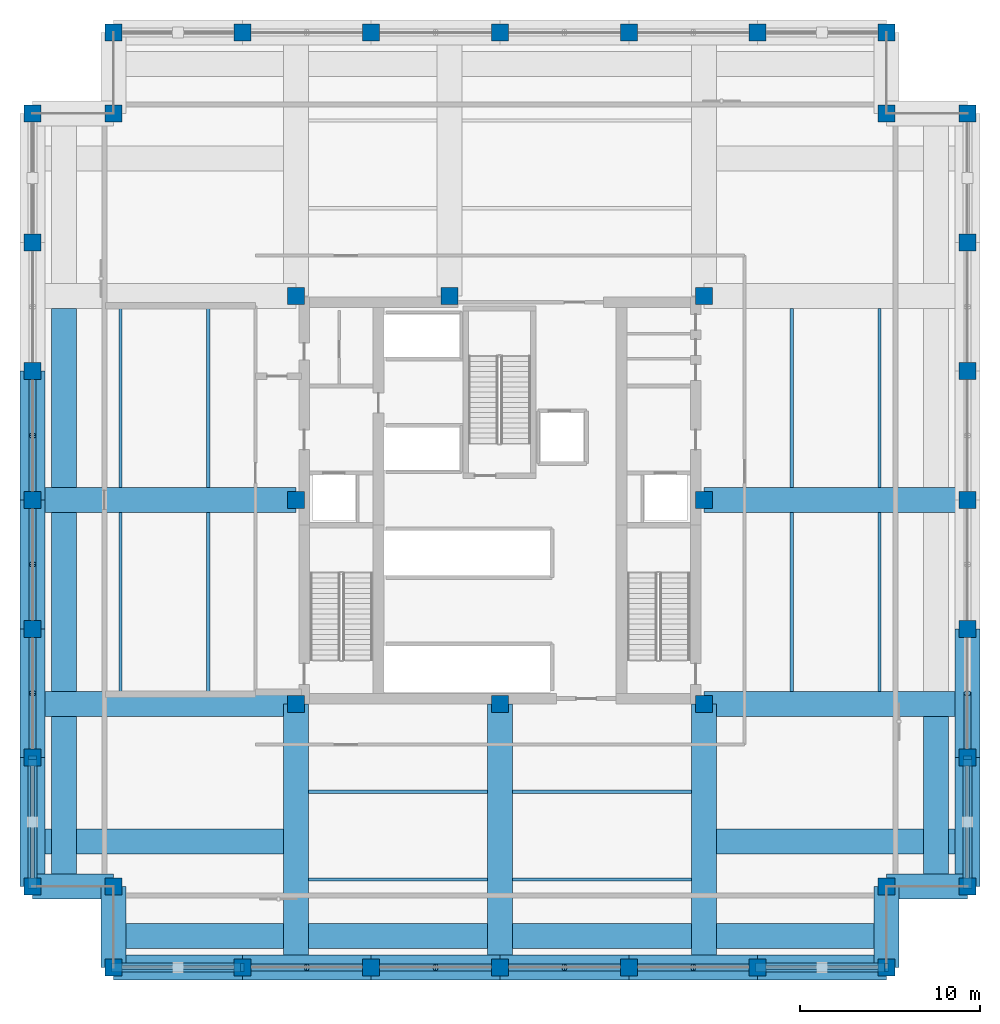
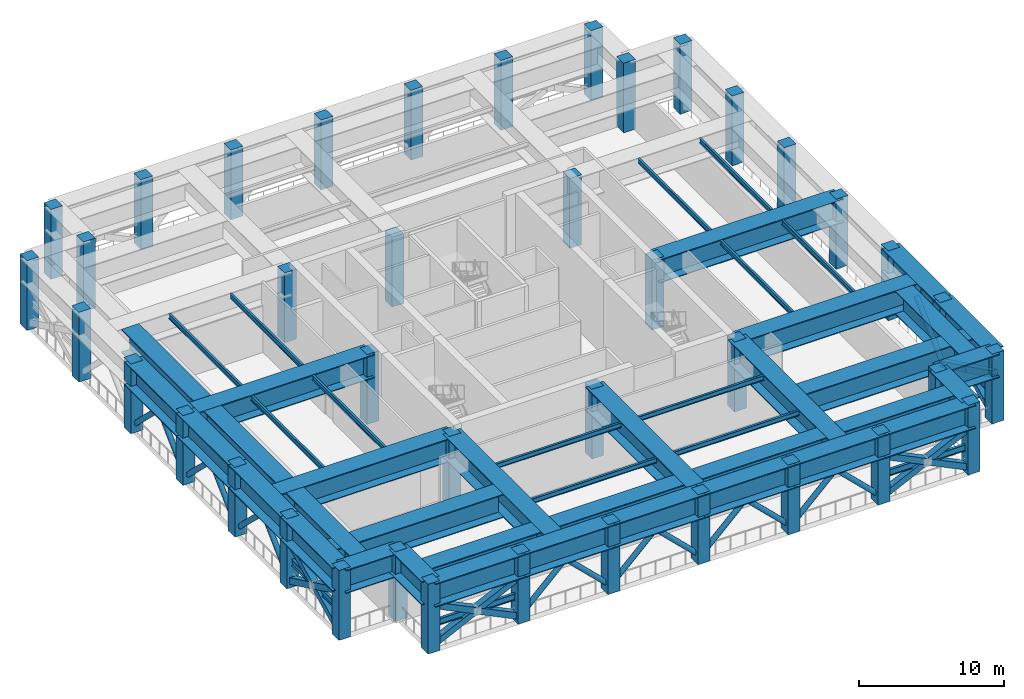
# One storey, part 1 of 12: 47 beams, 40 columns, 27 members.
"""IFC4 building model written with IfcOpenShell, lengths in metres."""

from ifc_helpers import new_model, si_unit, direction, frame, origin, origin_2d, place, context, subcontext, project, spatial, rectangle, hollow_rectangle, hollow_circle, i_section, extrude, material, material_profile, profile_set, type_object, element, save


model = new_model("IFC4")

# Units and contexts
model_context = context("Model", 3, precision=1e-05, world=origin(), true_north=direction((0.0, 1.0)))
body_context = subcontext(model_context, "Body", "Model", "MODEL_VIEW")
ifc_project = project(units=[si_unit("LENGTHUNIT", "METRE"), si_unit("AREAUNIT", "SQUARE_METRE"), si_unit("VOLUMEUNIT", "CUBIC_METRE"), si_unit("PLANEANGLEUNIT", "RADIAN"), si_unit("MASSUNIT", "GRAM", prefix="KILO")], contexts=[model_context])

# Site, building, storey
site_placement = place(None, origin())
site = spatial("IfcSite", under=ifc_project, at=site_placement, CompositionType="ELEMENT")
building_placement = place(site_placement, origin())
building = spatial("IfcBuilding", under=site, at=building_placement, Name="Nhamokura Convention Tower", CompositionType="ELEMENT")
storey_placement = place(building_placement, frame((0.0, 0.0, 176.050048828125)))
storey = spatial("IfcBuildingStorey", under=building, at=storey_placement, Name="L43", CompositionType="ELEMENT", Elevation=176.050048828125)

# Columns
ifc_material_1 = material(Name="Concrete C60/75", Category="concrete")
ifc_material_profile_1 = material_profile(ifc_material_1, rectangle(XDim=0.949951171875, YDim=0.949951171875, at=origin_2d()))
ifc_profile_set_1 = profile_set([ifc_material_profile_1], Name="Concrete C60/75")
column_type = type_object("IfcColumnType", Name="TubeColumn_Z2_950", PredefinedType="COLUMN", material=ifc_profile_set_1)
for number, where, z_axis, x_axis, name in (
    (1, (20.64990234375, 20.64990234375, 0.0), (0.0, 0.0, 1.0), (1.0, 0.0, 0.0), "L43 Core Column CC-SW"),
    (2, (32.0, 20.64990234375, 0.0), (0.0, 0.0, 1.0), (1.0, 0.0, 0.0), "L43 Core Column CC-S"),
    (3, (43.35009765625, 20.64990234375, 0.0), (0.0, 0.0, 1.0), (1.0, 0.0, 0.0), "L43 Core Column CC-SE"),
    (4, (43.35009765625, 32.0, 0.0), (0.0, 0.0, 1.0), (1.0, 0.0, 0.0), "L43 Core Column CC-E"),
    (5, (43.35009765625, 43.35009765625, 0.0), (0.0, 0.0, 1.0), (1.0, 0.0, 0.0), "L43 Core Column CC-NE"),
    (6, (29.199951171875, 43.35009765625, 0.0), (0.0, 0.0, 1.0), (1.0, 0.0, 0.0), "L43 Core Column CC-N"),
    (7, (20.64990234375, 43.35009765625, 0.0), (0.0, 0.0, 1.0), (1.0, 0.0, 0.0), "L43 Core Column CC-NW"),
    (8, (20.64990234375, 32.0, 0.0), (0.0, 0.0, 1.0), (1.0, 0.0, 0.0), "L43 Core Column CC-W"),
    (9, (10.5, 6.0, 0.0), (0.0, 0.0, 1.0), (1.0, 0.0, 0.0), "L43 Perimeter Tube Column SW1"),
    (10, (10.5, 10.5, 0.0), (0.0, 0.0, 1.0), (1.0, 0.0, 0.0), "L43 Perimeter Tube Column SW0"),
    (11, (6.0, 10.5, 0.0), (0.0, 0.0, 1.0), (1.0, 0.0, 0.0), "L43 Perimeter Tube Column SW2"),
    (12, (53.5, 6.0, 0.0), (0.0, 0.0, 1.0), (1.0, 0.0, 0.0), "L43 Perimeter Tube Column SE1"),
    (13, (53.5, 10.5, 0.0), (0.0, 0.0, 1.0), (1.0, 0.0, 0.0), "L43 Perimeter Tube Column SE0"),
    (14, (58.0, 10.5, 0.0), (0.0, 0.0, 1.0), (1.0, 0.0, 0.0), "L43 Perimeter Tube Column SE2"),
    (15, (58.0, 53.5, 0.0), (0.0, 0.0, 1.0), (1.0, 0.0, 0.0), "L43 Perimeter Tube Column NE1"),
    (16, (53.5, 53.5, 0.0), (0.0, 0.0, 1.0), (1.0, 0.0, 0.0), "L43 Perimeter Tube Column NE0"),
    (17, (53.5, 58.0, 0.0), (0.0, 0.0, 1.0), (1.0, 0.0, 0.0), "L43 Perimeter Tube Column NE2"),
    (18, (10.5, 58.0, 0.0), (0.0, 0.0, 1.0), (1.0, 0.0, 0.0), "L43 Perimeter Tube Column NW1"),
    (19, (10.5, 53.5, 0.0), (0.0, 0.0, 1.0), (1.0, 0.0, 0.0), "L43 Perimeter Tube Column NW0"),
    (20, (6.0, 53.5, 0.0), (0.0, 0.0, 1.0), (1.0, 0.0, 0.0), "L43 Perimeter Tube Column NW2"),
    (21, (17.666748046875, 6.0, 0.0), (0.0, 0.0, 1.0), (1.0, 0.0, 0.0), "L43 Perimeter Tube Column S1"),
    (22, (17.666748046875, 58.0, 0.0), (0.0, 0.0, 1.0), (1.0, 0.0, 0.0), "L43 Perimeter Tube Column N1"),
    (23, (6.0, 17.666748046875, 0.0), (0.0, 0.0, 1.0), (1.0, 0.0, 0.0), "L43 Perimeter Tube Column W1"),
    (24, (58.0, 17.666748046875, 0.0), (0.0, 0.0, 1.0), (1.0, 0.0, 0.0), "L43 Perimeter Tube Column E1"),
    (25, (24.833251953125, 6.0, 0.0), (0.0, 0.0, 1.0), (1.0, 0.0, 0.0), "L43 Perimeter Tube Column S2"),
    (26, (24.833251953125, 58.0, 0.0), (0.0, 0.0, 1.0), (1.0, 0.0, 0.0), "L43 Perimeter Tube Column N2"),
    (27, (6.0, 24.833251953125, 0.0), (0.0, 0.0, 1.0), (1.0, 0.0, 0.0), "L43 Perimeter Tube Column W2"),
    (28, (58.0, 24.833251953125, 0.0), (0.0, 0.0, 1.0), (1.0, 0.0, 0.0), "L43 Perimeter Tube Column E2"),
    (29, (32.0, 6.0, 0.0), (0.0, 0.0, 1.0), (1.0, 0.0, 0.0), "L43 Perimeter Tube Column S3"),
    (30, (32.0, 58.0, 0.0), (0.0, 0.0, 1.0), (1.0, 0.0, 0.0), "L43 Perimeter Tube Column N3"),
    (31, (6.0, 32.0, 0.0), (0.0, 0.0, 1.0), (1.0, 0.0, 0.0), "L43 Perimeter Tube Column W3"),
    (32, (58.0, 32.0, 0.0), (0.0, 0.0, 1.0), (1.0, 0.0, 0.0), "L43 Perimeter Tube Column E3"),
    (33, (39.166748046875, 6.0, 0.0), (0.0, 0.0, 1.0), (1.0, 0.0, 0.0), "L43 Perimeter Tube Column S4"),
    (34, (39.166748046875, 58.0, 0.0), (0.0, 0.0, 1.0), (1.0, 0.0, 0.0), "L43 Perimeter Tube Column N4"),
    (35, (6.0, 39.166748046875, 0.0), (0.0, 0.0, 1.0), (1.0, 0.0, 0.0), "L43 Perimeter Tube Column W4"),
    (36, (58.0, 39.166748046875, 0.0), (0.0, 0.0, 1.0), (1.0, 0.0, 0.0), "L43 Perimeter Tube Column E4"),
    (37, (46.333251953125, 6.0, 0.0), (0.0, 0.0, 1.0), (1.0, 0.0, 0.0), "L43 Perimeter Tube Column S5"),
    (38, (46.333251953125, 58.0, 0.0), (0.0, 0.0, 1.0), (1.0, 0.0, 0.0), "L43 Perimeter Tube Column N5"),
    (39, (6.0, 46.333251953125, 0.0), (0.0, 0.0, 1.0), (1.0, 0.0, 0.0), "L43 Perimeter Tube Column W5"),
    (40, (58.0, 46.333251953125, 0.0), (0.0, 0.0, 1.0), (1.0, 0.0, 0.0), "L43 Perimeter Tube Column E5"),
):
    element("IfcColumn", number, at=place(storey_placement, frame(where, z_axis=z_axis, x_axis=x_axis)), inside=storey, type_object=column_type, Name=name, PredefinedType="COLUMN", context=body_context, shape_type="SweptSolid", body=[
        extrude(rectangle(XDim=0.949951171875, YDim=0.949951171875, at=origin_2d()), origin(), (0.0, 0.0, 1.0), 5.8798828125),
    ])

# Beams
ifc_material_2 = material(Name="Steel ASTM A992 Gr 50", Category="steel")
ifc_material_profile_2 = material_profile(ifc_material_2, i_section(OverallWidth=0.177001953125, OverallDepth=0.403076171875, WebThickness=0.007568359375, FlangeThickness=0.010986328125, at=origin_2d()))
ifc_profile_set_2 = profile_set([ifc_material_profile_2], Name="Steel ASTM A992 Gr 50")
beam_type_1 = type_object("IfcBeamType", Name="FloorJoist_W410X53", PredefinedType="JOIST", material=ifc_profile_set_2)
for number, where, z_axis, x_axis, name in (
    (41, (21.347900390625, 10.88330078125, 5.678466796875), (1.0, 0.0, 0.0), (0.0, 1.0, 0.0), "L43 Composite Floor Joist S1A"),
    (42, (32.697998046875, 10.88330078125, 5.678466796875), (1.0, 0.0, 0.0), (0.0, 1.0, 0.0), "L43 Composite Floor Joist S1B"),
    (43, (21.347900390625, 15.7666015625, 5.678466796875), (1.0, 0.0, 0.0), (0.0, 1.0, 0.0), "L43 Composite Floor Joist S2A"),
    (44, (32.697998046875, 15.7666015625, 5.678466796875), (1.0, 0.0, 0.0), (0.0, 1.0, 0.0), "L43 Composite Floor Joist S2B"),
    (45, (10.88330078125, 21.347900390625, 5.678466796875), (0.0, 1.0, 0.0), (-1.0, 0.0, 0.0), "L43 Composite Floor Joist W1A"),
    (46, (10.88330078125, 32.697998046875, 5.678466796875), (0.0, 1.0, 0.0), (-1.0, 0.0, 0.0), "L43 Composite Floor Joist W1B"),
    (47, (15.7666015625, 21.347900390625, 5.678466796875), (0.0, 1.0, 0.0), (-1.0, 0.0, 0.0), "L43 Composite Floor Joist W2A"),
    (48, (15.7666015625, 32.697998046875, 5.678466796875), (0.0, 1.0, 0.0), (-1.0, 0.0, 0.0), "L43 Composite Floor Joist W2B"),
    (49, (48.2333984375, 21.347900390625, 5.678466796875), (0.0, 1.0, 0.0), (-1.0, 0.0, 0.0), "L43 Composite Floor Joist E1A"),
    (50, (48.2333984375, 32.697998046875, 5.678466796875), (0.0, 1.0, 0.0), (-1.0, 0.0, 0.0), "L43 Composite Floor Joist E1B"),
    (51, (53.11669921875, 21.347900390625, 5.678466796875), (0.0, 1.0, 0.0), (-1.0, 0.0, 0.0), "L43 Composite Floor Joist E2A"),
    (52, (53.11669921875, 32.697998046875, 5.678466796875), (0.0, 1.0, 0.0), (-1.0, 0.0, 0.0), "L43 Composite Floor Joist E2B"),
):
    element("IfcBeam", number, at=place(storey_placement, frame(where, z_axis=z_axis, x_axis=x_axis)), inside=storey, type_object=beam_type_1, Name=name, PredefinedType="JOIST", context=body_context, shape_type="SweptSolid", body=[
        extrude(i_section(OverallWidth=0.177001953125, OverallDepth=0.403076171875, WebThickness=0.007568359375, FlangeThickness=0.010986328125, at=origin_2d()), origin(), (0.0, 0.0, 1.0), 9.9541015625),
    ])

# Members
ifc_material_3 = material(Name="Steel ASTM A572 Gr 50", Category="steel")
ifc_material_profile_3 = material_profile(ifc_material_3, hollow_rectangle(XDim=0.5, YDim=0.5, WallThickness=0.02490234375, at=origin_2d()))
ifc_profile_set_3 = profile_set([ifc_material_profile_3], Name="Steel ASTM A572 Gr 50")
member_type_1 = type_object("IfcMemberType", Name="OutriggerBrace_HSS500", PredefinedType="BRACE", material=ifc_profile_set_3)
member_1_placement = place(storey_placement, frame((10.5, 6.0, 0.349853515625), z_axis=(0.899558045543, 0.0, 0.436801239352), x_axis=(0.0, 1.0, 0.0)))
element("IfcMember", 53, at=member_1_placement, inside=storey, type_object=member_type_1, Name="L43 Continuous Outrigger Diagonal OUT-S0-1", PredefinedType="BRACE", context=body_context, shape_type="SweptSolid", body=[
    extrude(hollow_rectangle(XDim=0.5, YDim=0.5, WallThickness=0.02490234375, at=origin_2d()), origin(), (0.0, 0.0, 1.0), 7.967041015625),
])
member_2_placement = place(storey_placement, frame((10.5, 6.0, 3.829833984375), z_axis=(0.899552198547, 0.0, -0.436813280578), x_axis=(0.0, 1.0, 0.0)))
element("IfcMember", 54, at=member_2_placement, inside=storey, type_object=member_type_1, Name="L43 Split Outrigger Diagonal OUT-S0-2A", PredefinedType="BRACE", context=body_context, shape_type="SweptSolid", body=[
    extrude(hollow_rectangle(XDim=0.5, YDim=0.5, WallThickness=0.02490234375, at=origin_2d()), origin(), (0.0, 0.0, 1.0), 3.9833984375),
])
member_3_placement = place(storey_placement, frame((14.083251953125, 6.0, 2.08984375), z_axis=(0.899563892055, 0.0, -0.436789198711), x_axis=(0.0, 1.0, 0.0)))
element("IfcMember", 55, at=member_3_placement, inside=storey, type_object=member_type_1, Name="L43 Split Outrigger Diagonal OUT-S0-2B", PredefinedType="BRACE", context=body_context, shape_type="SweptSolid", body=[
    extrude(hollow_rectangle(XDim=0.5, YDim=0.5, WallThickness=0.02490234375, at=origin_2d()), origin(), (0.0, 0.0, 1.0), 3.983642578125),
])
member_4_placement = place(storey_placement, frame((46.333251953125, 6.0, 0.349853515625), z_axis=(0.899558045543, 0.0, 0.436801239352), x_axis=(0.0, 1.0, 0.0)))
element("IfcMember", 56, at=member_4_placement, inside=storey, type_object=member_type_1, Name="L43 Continuous Outrigger Diagonal OUT-S5-1", PredefinedType="BRACE", context=body_context, shape_type="SweptSolid", body=[
    extrude(hollow_rectangle(XDim=0.5, YDim=0.5, WallThickness=0.02490234375, at=origin_2d()), origin(), (0.0, 0.0, 1.0), 7.967041015625),
])
member_5_placement = place(storey_placement, frame((46.333251953125, 6.0, 3.829833984375), z_axis=(0.899563892055, 0.0, -0.436789198711), x_axis=(0.0, 1.0, 0.0)))
element("IfcMember", 57, at=member_5_placement, inside=storey, type_object=member_type_1, Name="L43 Split Outrigger Diagonal OUT-S5-2A", PredefinedType="BRACE", context=body_context, shape_type="SweptSolid", body=[
    extrude(hollow_rectangle(XDim=0.5, YDim=0.5, WallThickness=0.02490234375, at=origin_2d()), origin(), (0.0, 0.0, 1.0), 3.983642578125),
])
member_6_placement = place(storey_placement, frame((49.916748046875, 6.0, 2.08984375), z_axis=(0.899552198547, 0.0, -0.436813280578), x_axis=(0.0, 1.0, 0.0)))
element("IfcMember", 58, at=member_6_placement, inside=storey, type_object=member_type_1, Name="L43 Split Outrigger Diagonal OUT-S5-2B", PredefinedType="BRACE", context=body_context, shape_type="SweptSolid", body=[
    extrude(hollow_rectangle(XDim=0.5, YDim=0.5, WallThickness=0.02490234375, at=origin_2d()), origin(), (0.0, 0.0, 1.0), 3.9833984375),
])
member_7_placement = place(storey_placement, frame((6.0, 10.5, 0.349853515625), z_axis=(0.0, 0.899558045543, 0.436801239352), x_axis=(-1.0, 0.0, 0.0)))
element("IfcMember", 59, at=member_7_placement, inside=storey, type_object=member_type_1, Name="L43 Continuous Outrigger Diagonal OUT-W0-1", PredefinedType="BRACE", context=body_context, shape_type="SweptSolid", body=[
    extrude(hollow_rectangle(XDim=0.5, YDim=0.5, WallThickness=0.02490234375, at=origin_2d()), origin(), (0.0, 0.0, 1.0), 7.967041015625),
])
member_8_placement = place(storey_placement, frame((6.0, 10.5, 3.829833984375), z_axis=(0.0, 0.899552198547, -0.436813280578), x_axis=(-1.0, 0.0, 0.0)))
element("IfcMember", 60, at=member_8_placement, inside=storey, type_object=member_type_1, Name="L43 Split Outrigger Diagonal OUT-W0-2A", PredefinedType="BRACE", context=body_context, shape_type="SweptSolid", body=[
    extrude(hollow_rectangle(XDim=0.5, YDim=0.5, WallThickness=0.02490234375, at=origin_2d()), origin(), (0.0, 0.0, 1.0), 3.9833984375),
])
member_9_placement = place(storey_placement, frame((6.0, 14.083251953125, 2.08984375), z_axis=(0.0, 0.899563892055, -0.436789198711), x_axis=(-1.0, 0.0, 0.0)))
element("IfcMember", 61, at=member_9_placement, inside=storey, type_object=member_type_1, Name="L43 Split Outrigger Diagonal OUT-W0-2B", PredefinedType="BRACE", context=body_context, shape_type="SweptSolid", body=[
    extrude(hollow_rectangle(XDim=0.5, YDim=0.5, WallThickness=0.02490234375, at=origin_2d()), origin(), (0.0, 0.0, 1.0), 3.983642578125),
])
member_10_placement = place(storey_placement, frame((58.0, 10.5, 0.349853515625), z_axis=(0.0, 0.899558045543, 0.436801239352), x_axis=(-1.0, 0.0, 0.0)))
element("IfcMember", 62, at=member_10_placement, inside=storey, type_object=member_type_1, Name="L43 Continuous Outrigger Diagonal OUT-E0-1", PredefinedType="BRACE", context=body_context, shape_type="SweptSolid", body=[
    extrude(hollow_rectangle(XDim=0.5, YDim=0.5, WallThickness=0.02490234375, at=origin_2d()), origin(), (0.0, 0.0, 1.0), 7.967041015625),
])
member_11_placement = place(storey_placement, frame((58.0, 10.5, 3.829833984375), z_axis=(0.0, 0.899552198547, -0.436813280578), x_axis=(-1.0, 0.0, 0.0)))
element("IfcMember", 63, at=member_11_placement, inside=storey, type_object=member_type_1, Name="L43 Split Outrigger Diagonal OUT-E0-2A", PredefinedType="BRACE", context=body_context, shape_type="SweptSolid", body=[
    extrude(hollow_rectangle(XDim=0.5, YDim=0.5, WallThickness=0.02490234375, at=origin_2d()), origin(), (0.0, 0.0, 1.0), 3.9833984375),
])
member_12_placement = place(storey_placement, frame((58.0, 14.083251953125, 2.08984375), z_axis=(0.0, 0.899563892055, -0.436789198711), x_axis=(-1.0, 0.0, 0.0)))
element("IfcMember", 64, at=member_12_placement, inside=storey, type_object=member_type_1, Name="L43 Split Outrigger Diagonal OUT-E0-2B", PredefinedType="BRACE", context=body_context, shape_type="SweptSolid", body=[
    extrude(hollow_rectangle(XDim=0.5, YDim=0.5, WallThickness=0.02490234375, at=origin_2d()), origin(), (0.0, 0.0, 1.0), 3.983642578125),
])

# Beams
ifc_material_4 = material(Name="Steel ASTM A992 Gr 50", Category="steel")
ifc_material_profile_4 = material_profile(ifc_material_4, i_section(OverallWidth=0.208984375, OverallDepth=0.532958984375, WebThickness=0.01025390625, FlangeThickness=0.015625, at=origin_2d()))
ifc_profile_set_4 = profile_set([ifc_material_profile_4], Name="Steel ASTM A992 Gr 50")
beam_type_2 = type_object("IfcBeamType", Name="PrimaryGirder_W530X92", PredefinedType="BEAM", material=ifc_profile_set_4)
for number, where, z_axis, x_axis, name in (
    (65, (10.5, 6.0, 2.08984375), (1.0, 0.0, 0.0), (0.0, 1.0, 0.0), "L43 Outrigger X-Brace Node Tie Beam OUT-S0"),
    (66, (46.333251953125, 6.0, 2.08984375), (1.0, 0.0, 0.0), (0.0, 1.0, 0.0), "L43 Outrigger X-Brace Node Tie Beam OUT-S5"),
    (67, (6.0, 10.5, 2.08984375), (0.0, 1.0, 0.0), (-1.0, 0.0, 0.0), "L43 Outrigger X-Brace Node Tie Beam OUT-W0"),
    (68, (58.0, 10.5, 2.08984375), (0.0, 1.0, 0.0), (-1.0, 0.0, 0.0), "L43 Outrigger X-Brace Node Tie Beam OUT-E0"),
):
    element("IfcBeam", number, at=place(storey_placement, frame(where, z_axis=z_axis, x_axis=x_axis)), inside=storey, type_object=beam_type_2, Name=name, PredefinedType="BEAM", context=body_context, shape_type="SweptSolid", body=[
        extrude(i_section(OverallWidth=0.208984375, OverallDepth=0.532958984375, WebThickness=0.01025390625, FlangeThickness=0.015625, at=origin_2d()), origin(), (0.0, 0.0, 1.0), 7.166748046875),
    ])
ifc_material_5 = material(Name="Steel ASTM A572 Gr 50", Category="steel")
ifc_material_profile_5 = material_profile(ifc_material_5, i_section(OverallWidth=1.39990234375, OverallDepth=1.9599609375, WebThickness=0.054931640625, FlangeThickness=0.06005859375, at=origin_2d()))
ifc_profile_set_5 = profile_set([ifc_material_profile_5], Name="Steel ASTM A572 Gr 50")
beam_type_3 = type_object("IfcBeamType", Name="TransferGirder_2000", PredefinedType="USERDEFINED", material=ifc_profile_set_5)
beam_1_placement = place(storey_placement, frame((10.5, 6.0, 4.89990234375), z_axis=(1.0, 0.0, 0.0), x_axis=(0.0, 1.0, 0.0)))
element("IfcBeam", 69, at=beam_1_placement, inside=storey, type_object=beam_type_3, Name="L43 Perimeter Transfer Spandrel SOUTH 1", ObjectType="TRANSFER_GIRDER", PredefinedType="USERDEFINED", context=body_context, shape_type="SweptSolid", body=[
    extrude(i_section(OverallWidth=1.39990234375, OverallDepth=1.9599609375, WebThickness=0.054931640625, FlangeThickness=0.06005859375, at=origin_2d()), origin(), (0.0, 0.0, 1.0), 7.166748046875),
])
beam_2_placement = place(storey_placement, frame((17.666748046875, 6.0, 4.89990234375), z_axis=(1.0, 0.0, 0.0), x_axis=(0.0, 1.0, 0.0)))
element("IfcBeam", 70, at=beam_2_placement, inside=storey, type_object=beam_type_3, Name="L43 Perimeter Transfer Spandrel SOUTH 2", ObjectType="TRANSFER_GIRDER", PredefinedType="USERDEFINED", context=body_context, shape_type="SweptSolid", body=[
    extrude(i_section(OverallWidth=1.39990234375, OverallDepth=1.9599609375, WebThickness=0.054931640625, FlangeThickness=0.06005859375, at=origin_2d()), origin(), (0.0, 0.0, 1.0), 7.16650390625),
])
for number, where, z_axis, x_axis, name in (
    (71, (24.833251953125, 6.0, 4.89990234375), (1.0, 0.0, 0.0), (0.0, 1.0, 0.0), "L43 Perimeter Transfer Spandrel SOUTH 3"),
    (72, (32.0, 6.0, 4.89990234375), (1.0, 0.0, 0.0), (0.0, 1.0, 0.0), "L43 Perimeter Transfer Spandrel SOUTH 4"),
):
    element("IfcBeam", number, at=place(storey_placement, frame(where, z_axis=z_axis, x_axis=x_axis)), inside=storey, type_object=beam_type_3, Name=name, ObjectType="TRANSFER_GIRDER", PredefinedType="USERDEFINED", context=body_context, shape_type="SweptSolid", body=[
        extrude(i_section(OverallWidth=1.39990234375, OverallDepth=1.9599609375, WebThickness=0.054931640625, FlangeThickness=0.06005859375, at=origin_2d()), origin(), (0.0, 0.0, 1.0), 7.166748046875),
    ])
beam_3_placement = place(storey_placement, frame((39.166748046875, 6.0, 4.89990234375), z_axis=(1.0, 0.0, 0.0), x_axis=(0.0, 1.0, 0.0)))
element("IfcBeam", 73, at=beam_3_placement, inside=storey, type_object=beam_type_3, Name="L43 Perimeter Transfer Spandrel SOUTH 5", ObjectType="TRANSFER_GIRDER", PredefinedType="USERDEFINED", context=body_context, shape_type="SweptSolid", body=[
    extrude(i_section(OverallWidth=1.39990234375, OverallDepth=1.9599609375, WebThickness=0.054931640625, FlangeThickness=0.06005859375, at=origin_2d()), origin(), (0.0, 0.0, 1.0), 7.16650390625),
])
for number, where, z_axis, x_axis, name in (
    (74, (46.333251953125, 6.0, 4.89990234375), (1.0, 0.0, 0.0), (0.0, 1.0, 0.0), "L43 Perimeter Transfer Spandrel SOUTH 6"),
    (75, (6.0, 10.5, 4.89990234375), (0.0, 1.0, 0.0), (-1.0, 0.0, 0.0), "L43 Perimeter Transfer Spandrel WEST 1"),
):
    element("IfcBeam", number, at=place(storey_placement, frame(where, z_axis=z_axis, x_axis=x_axis)), inside=storey, type_object=beam_type_3, Name=name, ObjectType="TRANSFER_GIRDER", PredefinedType="USERDEFINED", context=body_context, shape_type="SweptSolid", body=[
        extrude(i_section(OverallWidth=1.39990234375, OverallDepth=1.9599609375, WebThickness=0.054931640625, FlangeThickness=0.06005859375, at=origin_2d()), origin(), (0.0, 0.0, 1.0), 7.166748046875),
    ])
beam_4_placement = place(storey_placement, frame((6.0, 17.666748046875, 4.89990234375), z_axis=(0.0, 1.0, 0.0), x_axis=(-1.0, 0.0, 0.0)))
element("IfcBeam", 76, at=beam_4_placement, inside=storey, type_object=beam_type_3, Name="L43 Perimeter Transfer Spandrel WEST 2", ObjectType="TRANSFER_GIRDER", PredefinedType="USERDEFINED", context=body_context, shape_type="SweptSolid", body=[
    extrude(i_section(OverallWidth=1.39990234375, OverallDepth=1.9599609375, WebThickness=0.054931640625, FlangeThickness=0.06005859375, at=origin_2d()), origin(), (0.0, 0.0, 1.0), 7.16650390625),
])
for number, where, z_axis, x_axis, name in (
    (77, (6.0, 24.833251953125, 4.89990234375), (0.0, 1.0, 0.0), (-1.0, 0.0, 0.0), "L43 Perimeter Transfer Spandrel WEST 3"),
    (78, (6.0, 32.0, 4.89990234375), (0.0, 1.0, 0.0), (-1.0, 0.0, 0.0), "L43 Perimeter Transfer Spandrel WEST 4"),
    (79, (58.0, 10.5, 4.89990234375), (0.0, 1.0, 0.0), (-1.0, 0.0, 0.0), "L43 Perimeter Transfer Spandrel EAST 1"),
):
    element("IfcBeam", number, at=place(storey_placement, frame(where, z_axis=z_axis, x_axis=x_axis)), inside=storey, type_object=beam_type_3, Name=name, ObjectType="TRANSFER_GIRDER", PredefinedType="USERDEFINED", context=body_context, shape_type="SweptSolid", body=[
        extrude(i_section(OverallWidth=1.39990234375, OverallDepth=1.9599609375, WebThickness=0.054931640625, FlangeThickness=0.06005859375, at=origin_2d()), origin(), (0.0, 0.0, 1.0), 7.166748046875),
    ])
beam_5_placement = place(storey_placement, frame((58.0, 17.666748046875, 4.89990234375), z_axis=(0.0, 1.0, 0.0), x_axis=(-1.0, 0.0, 0.0)))
element("IfcBeam", 80, at=beam_5_placement, inside=storey, type_object=beam_type_3, Name="L43 Perimeter Transfer Spandrel EAST 2", ObjectType="TRANSFER_GIRDER", PredefinedType="USERDEFINED", context=body_context, shape_type="SweptSolid", body=[
    extrude(i_section(OverallWidth=1.39990234375, OverallDepth=1.9599609375, WebThickness=0.054931640625, FlangeThickness=0.06005859375, at=origin_2d()), origin(), (0.0, 0.0, 1.0), 7.16650390625),
])
for number, where, z_axis, x_axis, name in (
    (81, (10.5, 6.0, 4.89990234375), (0.0, 1.0, 0.0), (-1.0, 0.0, 0.0), "L43 Notch Transfer Spandrel SW1"),
    (82, (10.5, 10.5, 4.89990234375), (-1.0, 0.0, 0.0), (0.0, -1.0, 0.0), "L43 Notch Transfer Spandrel SW2"),
    (83, (53.5, 6.0, 4.89990234375), (0.0, 1.0, 0.0), (-1.0, 0.0, 0.0), "L43 Notch Transfer Spandrel SE1"),
    (84, (53.5, 10.5, 4.89990234375), (1.0, 0.0, 0.0), (0.0, 1.0, 0.0), "L43 Notch Transfer Spandrel SE2"),
):
    element("IfcBeam", number, at=place(storey_placement, frame(where, z_axis=z_axis, x_axis=x_axis)), inside=storey, type_object=beam_type_3, Name=name, ObjectType="TRANSFER_GIRDER", PredefinedType="USERDEFINED", context=body_context, shape_type="SweptSolid", body=[
        extrude(i_section(OverallWidth=1.39990234375, OverallDepth=1.9599609375, WebThickness=0.054931640625, FlangeThickness=0.06005859375, at=origin_2d()), origin(), (0.0, 0.0, 1.0), 4.5),
    ])
beam_6_placement = place(storey_placement, frame((11.197998046875, 7.75, 4.89990234375), z_axis=(1.0, 0.0, 0.0), x_axis=(0.0, 1.0, 0.0)))
element("IfcBeam", 85, at=beam_6_placement, inside=storey, type_object=beam_type_3, Name="L43 Upper-Line Transfer Girder TGU-SW", ObjectType="TRANSFER_GIRDER", PredefinedType="USERDEFINED", context=body_context, shape_type="SweptSolid", body=[
    extrude(i_section(OverallWidth=1.39990234375, OverallDepth=1.9599609375, WebThickness=0.054931640625, FlangeThickness=0.06005859375, at=origin_2d()), origin(), (0.0, 0.0, 1.0), 8.75390625),
])
beam_7_placement = place(storey_placement, frame((21.347900390625, 7.75, 4.89990234375), z_axis=(1.0, 0.0, 0.0), x_axis=(0.0, 1.0, 0.0)))
element("IfcBeam", 86, at=beam_7_placement, inside=storey, type_object=beam_type_3, Name="L43 Upper-Line Transfer Girder TGU-SM", ObjectType="TRANSFER_GIRDER", PredefinedType="USERDEFINED", context=body_context, shape_type="SweptSolid", body=[
    extrude(i_section(OverallWidth=1.39990234375, OverallDepth=1.9599609375, WebThickness=0.054931640625, FlangeThickness=0.06005859375, at=origin_2d()), origin(), (0.0, 0.0, 1.0), 21.30419921875),
])
for number, where, z_axis, x_axis, name in (
    (87, (44.048095703125, 7.75, 4.89990234375), (1.0, 0.0, 0.0), (0.0, 1.0, 0.0), "L43 Upper-Line Transfer Girder TGU-SE"),
    (88, (7.75, 11.197998046875, 4.89990234375), (0.0, 1.0, 0.0), (-1.0, 0.0, 0.0), "L43 Upper-Line Transfer Girder TGU-WS"),
):
    element("IfcBeam", number, at=place(storey_placement, frame(where, z_axis=z_axis, x_axis=x_axis)), inside=storey, type_object=beam_type_3, Name=name, ObjectType="TRANSFER_GIRDER", PredefinedType="USERDEFINED", context=body_context, shape_type="SweptSolid", body=[
        extrude(i_section(OverallWidth=1.39990234375, OverallDepth=1.9599609375, WebThickness=0.054931640625, FlangeThickness=0.06005859375, at=origin_2d()), origin(), (0.0, 0.0, 1.0), 8.75390625),
    ])
beam_8_placement = place(storey_placement, frame((7.75, 21.347900390625, 4.89990234375), z_axis=(0.0, 1.0, 0.0), x_axis=(-1.0, 0.0, 0.0)))
element("IfcBeam", 89, at=beam_8_placement, inside=storey, type_object=beam_type_3, Name="L43 Upper-Line Transfer Girder TGU-WM", ObjectType="TRANSFER_GIRDER", PredefinedType="USERDEFINED", context=body_context, shape_type="SweptSolid", body=[
    extrude(i_section(OverallWidth=1.39990234375, OverallDepth=1.9599609375, WebThickness=0.054931640625, FlangeThickness=0.06005859375, at=origin_2d()), origin(), (0.0, 0.0, 1.0), 21.30419921875),
])
beam_9_placement = place(storey_placement, frame((56.25, 11.197998046875, 4.89990234375), z_axis=(0.0, 1.0, 0.0), x_axis=(-1.0, 0.0, 0.0)))
element("IfcBeam", 90, at=beam_9_placement, inside=storey, type_object=beam_type_3, Name="L43 Upper-Line Transfer Girder TGU-ES", ObjectType="TRANSFER_GIRDER", PredefinedType="USERDEFINED", context=body_context, shape_type="SweptSolid", body=[
    extrude(i_section(OverallWidth=1.39990234375, OverallDepth=1.9599609375, WebThickness=0.054931640625, FlangeThickness=0.06005859375, at=origin_2d()), origin(), (0.0, 0.0, 1.0), 8.75390625),
])
for number, where, z_axis, x_axis, name in (
    (91, (6.697998046875, 13.0, 4.89990234375), (1.0, 0.0, 0.0), (0.0, 1.0, 0.0), "L43 Upper-Line Transfer Girder TGN-SW0"),
    (92, (44.048095703125, 13.0, 4.89990234375), (1.0, 0.0, 0.0), (0.0, 1.0, 0.0), "L43 Upper-Line Transfer Girder TGN-SE0"),
):
    element("IfcBeam", number, at=place(storey_placement, frame(where, z_axis=z_axis, x_axis=x_axis)), inside=storey, type_object=beam_type_3, Name=name, ObjectType="TRANSFER_GIRDER", PredefinedType="USERDEFINED", context=body_context, shape_type="SweptSolid", body=[
        extrude(i_section(OverallWidth=1.39990234375, OverallDepth=1.9599609375, WebThickness=0.054931640625, FlangeThickness=0.06005859375, at=origin_2d()), origin(), (0.0, 0.0, 1.0), 13.25390625),
    ])
for number, where, z_axis, x_axis, name in (
    (93, (20.64990234375, 6.0, 4.89990234375), (0.0, 1.0, 0.0), (-1.0, 0.0, 0.0), "L43 Primary Floor Girder PG-S1"),
    (94, (32.0, 6.0, 4.89990234375), (0.0, 1.0, 0.0), (-1.0, 0.0, 0.0), "L43 Primary Floor Girder PG-S2"),
    (95, (43.35009765625, 6.0, 4.89990234375), (0.0, 1.0, 0.0), (-1.0, 0.0, 0.0), "L43 Primary Floor Girder PG-S3"),
    (96, (6.0, 20.64990234375, 4.89990234375), (1.0, 0.0, 0.0), (0.0, 1.0, 0.0), "L43 Primary Floor Girder PG-W1"),
    (97, (6.0, 32.0, 4.89990234375), (1.0, 0.0, 0.0), (0.0, 1.0, 0.0), "L43 Primary Floor Girder PG-W2"),
    (98, (43.35009765625, 20.64990234375, 4.89990234375), (1.0, 0.0, 0.0), (0.0, 1.0, 0.0), "L43 Primary Floor Girder PG-E1"),
    (99, (43.35009765625, 32.0, 4.89990234375), (1.0, 0.0, 0.0), (0.0, 1.0, 0.0), "L43 Primary Floor Girder PG-E2"),
):
    element("IfcBeam", number, at=place(storey_placement, frame(where, z_axis=z_axis, x_axis=x_axis)), inside=storey, type_object=beam_type_3, Name=name, ObjectType="TRANSFER_GIRDER", PredefinedType="USERDEFINED", context=body_context, shape_type="SweptSolid", body=[
        extrude(i_section(OverallWidth=1.39990234375, OverallDepth=1.9599609375, WebThickness=0.054931640625, FlangeThickness=0.06005859375, at=origin_2d()), origin(), (0.0, 0.0, 1.0), 14.64990234375),
    ])

# Members
ifc_material_6 = material(Name="Steel ASTM A572 Gr 50", Category="steel")
ifc_material_profile_6 = material_profile(ifc_material_6, hollow_circle(Radius=0.203125, WallThickness=0.01611328125, at=origin_2d()))
ifc_profile_set_6 = profile_set([ifc_material_profile_6], Name="Steel ASTM A572 Gr 50")
member_type_2 = type_object("IfcMemberType", Name="WindPortalStrut_CHS406", PredefinedType="STRUT", material=ifc_profile_set_6)
for number, where, z_axis, x_axis, name in (
    (100, (17.666748046875, 6.0, 0.349853515625), (0.717368712635, 0.0, 0.696693713286), (0.0, 1.0, 0.0), "L43 Belt Truss Member SOUTH 1A"),
    (101, (21.25, 6.0, 3.829833984375), (0.717368712635, 0.0, -0.696693713286), (0.0, 1.0, 0.0), "L43 Belt Truss Member SOUTH 1B"),
):
    element("IfcMember", number, at=place(storey_placement, frame(where, z_axis=z_axis, x_axis=x_axis)), inside=storey, type_object=member_type_2, Name=name, PredefinedType="STRUT", context=body_context, shape_type="SweptSolid", body=[
        extrude(hollow_circle(Radius=0.203125, WallThickness=0.01611328125, at=origin_2d()), origin(), (0.0, 0.0, 1.0), 4.994873046875),
    ])
member_13_placement = place(storey_placement, frame((24.833251953125, 6.0, 0.349853515625), z_axis=(0.717392435442, 0.0, 0.696669285652), x_axis=(0.0, 1.0, 0.0)))
element("IfcMember", 102, at=member_13_placement, inside=storey, type_object=member_type_2, Name="L43 Belt Truss Member SOUTH 2A", PredefinedType="STRUT", context=body_context, shape_type="SweptSolid", body=[
    extrude(hollow_circle(Radius=0.203125, WallThickness=0.01611328125, at=origin_2d()), origin(), (0.0, 0.0, 1.0), 4.9951171875),
])
for number, where, z_axis, x_axis, name in (
    (103, (28.416748046875, 6.0, 3.829833984375), (0.717368712635, 0.0, -0.696693713286), (0.0, 1.0, 0.0), "L43 Belt Truss Member SOUTH 2B"),
    (104, (32.0, 6.0, 0.349853515625), (0.717368712635, 0.0, 0.696693713286), (0.0, 1.0, 0.0), "L43 Belt Truss Member SOUTH 3A"),
):
    element("IfcMember", number, at=place(storey_placement, frame(where, z_axis=z_axis, x_axis=x_axis)), inside=storey, type_object=member_type_2, Name=name, PredefinedType="STRUT", context=body_context, shape_type="SweptSolid", body=[
        extrude(hollow_circle(Radius=0.203125, WallThickness=0.01611328125, at=origin_2d()), origin(), (0.0, 0.0, 1.0), 4.994873046875),
    ])
member_14_placement = place(storey_placement, frame((35.583251953125, 6.0, 3.829833984375), z_axis=(0.717392435442, 0.0, -0.696669285652), x_axis=(0.0, 1.0, 0.0)))
element("IfcMember", 105, at=member_14_placement, inside=storey, type_object=member_type_2, Name="L43 Belt Truss Member SOUTH 3B", PredefinedType="STRUT", context=body_context, shape_type="SweptSolid", body=[
    extrude(hollow_circle(Radius=0.203125, WallThickness=0.01611328125, at=origin_2d()), origin(), (0.0, 0.0, 1.0), 4.9951171875),
])
for number, where, z_axis, x_axis, name in (
    (106, (39.166748046875, 6.0, 0.349853515625), (0.717368712635, 0.0, 0.696693713286), (0.0, 1.0, 0.0), "L43 Belt Truss Member SOUTH 4A"),
    (107, (42.75, 6.0, 3.829833984375), (0.717368712635, 0.0, -0.696693713286), (0.0, 1.0, 0.0), "L43 Belt Truss Member SOUTH 4B"),
    (108, (6.0, 17.666748046875, 0.349853515625), (0.0, 0.717368712635, 0.696693713286), (-1.0, 0.0, 0.0), "L43 Belt Truss Member WEST 1A"),
    (109, (6.0, 21.25, 3.829833984375), (0.0, 0.717368712635, -0.696693713286), (-1.0, 0.0, 0.0), "L43 Belt Truss Member WEST 1B"),
):
    element("IfcMember", number, at=place(storey_placement, frame(where, z_axis=z_axis, x_axis=x_axis)), inside=storey, type_object=member_type_2, Name=name, PredefinedType="STRUT", context=body_context, shape_type="SweptSolid", body=[
        extrude(hollow_circle(Radius=0.203125, WallThickness=0.01611328125, at=origin_2d()), origin(), (0.0, 0.0, 1.0), 4.994873046875),
    ])
member_15_placement = place(storey_placement, frame((6.0, 24.833251953125, 0.349853515625), z_axis=(0.0, 0.717392435442, 0.696669285652), x_axis=(-1.0, 0.0, 0.0)))
element("IfcMember", 110, at=member_15_placement, inside=storey, type_object=member_type_2, Name="L43 Belt Truss Member WEST 2A", PredefinedType="STRUT", context=body_context, shape_type="SweptSolid", body=[
    extrude(hollow_circle(Radius=0.203125, WallThickness=0.01611328125, at=origin_2d()), origin(), (0.0, 0.0, 1.0), 4.9951171875),
])
for number, where, z_axis, x_axis, name in (
    (111, (6.0, 28.416748046875, 3.829833984375), (0.0, 0.717368712635, -0.696693713286), (-1.0, 0.0, 0.0), "L43 Belt Truss Member WEST 2B"),
    (112, (6.0, 32.0, 0.349853515625), (0.0, 0.717368712635, 0.696693713286), (-1.0, 0.0, 0.0), "L43 Belt Truss Member WEST 3A"),
):
    element("IfcMember", number, at=place(storey_placement, frame(where, z_axis=z_axis, x_axis=x_axis)), inside=storey, type_object=member_type_2, Name=name, PredefinedType="STRUT", context=body_context, shape_type="SweptSolid", body=[
        extrude(hollow_circle(Radius=0.203125, WallThickness=0.01611328125, at=origin_2d()), origin(), (0.0, 0.0, 1.0), 4.994873046875),
    ])
member_16_placement = place(storey_placement, frame((6.0, 35.583251953125, 3.829833984375), z_axis=(0.0, 0.717392435442, -0.696669285652), x_axis=(-1.0, 0.0, 0.0)))
element("IfcMember", 113, at=member_16_placement, inside=storey, type_object=member_type_2, Name="L43 Belt Truss Member WEST 3B", PredefinedType="STRUT", context=body_context, shape_type="SweptSolid", body=[
    extrude(hollow_circle(Radius=0.203125, WallThickness=0.01611328125, at=origin_2d()), origin(), (0.0, 0.0, 1.0), 4.9951171875),
])
member_17_placement = place(storey_placement, frame((58.0, 17.666748046875, 0.349853515625), z_axis=(0.0, 0.717368712635, 0.696693713286), x_axis=(-1.0, 0.0, 0.0)))
element("IfcMember", 114, at=member_17_placement, inside=storey, type_object=member_type_2, Name="L43 Belt Truss Member EAST 1A", PredefinedType="STRUT", context=body_context, shape_type="SweptSolid", body=[
    extrude(hollow_circle(Radius=0.203125, WallThickness=0.01611328125, at=origin_2d()), origin(), (0.0, 0.0, 1.0), 4.994873046875),
])

save(model, "model.ifc")
